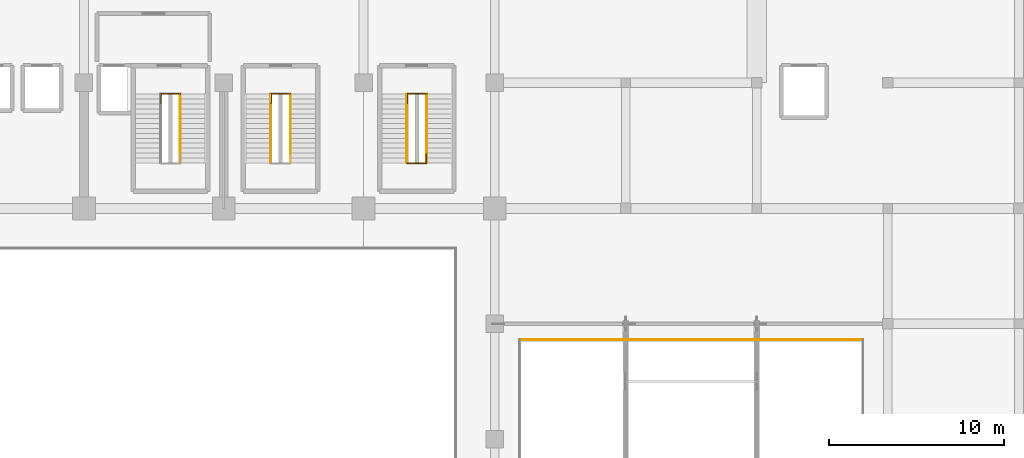
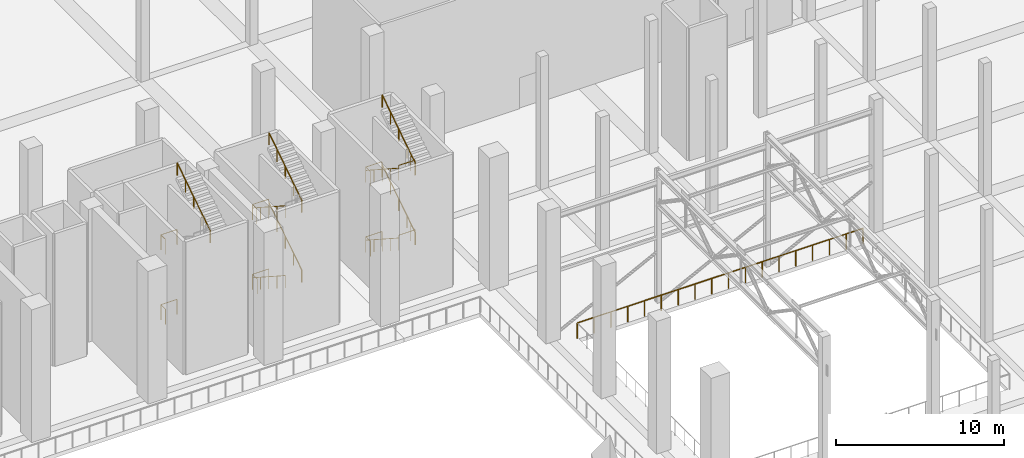
# One storey, part 79 of 80: 18 railings.
"""IFC4 building model written with IfcOpenShell, lengths in metres."""

from ifc_helpers import new_model, si_unit, direction, frame, origin, origin_2d, place, context, subcontext, project, spatial, circle, extrude, material, layer, layer_set, type_object, element, save


model = new_model("IFC4")

# Units and contexts
model_context = context("Model", 3, precision=1e-05, world=origin(), true_north=direction((0.0, 1.0)))
body_context = subcontext(model_context, "Body", "Model", "MODEL_VIEW")
ifc_project = project(units=[si_unit("LENGTHUNIT", "METRE"), si_unit("AREAUNIT", "SQUARE_METRE"), si_unit("VOLUMEUNIT", "CUBIC_METRE"), si_unit("PLANEANGLEUNIT", "RADIAN"), si_unit("MASSUNIT", "GRAM", prefix="KILO")], contexts=[model_context])

# Site, building, storey
site_placement = place(None, origin())
site = spatial("IfcSite", under=ifc_project, at=site_placement, CompositionType="ELEMENT")
building_placement = place(site_placement, origin())
building = spatial("IfcBuilding", under=site, at=building_placement, Name="Akrevak Sports Hall", CompositionType="ELEMENT")
storey_placement = place(building_placement, frame((0.0, 0.0, 14.0)))
storey = spatial("IfcBuildingStorey", under=building, at=storey_placement, Name="L03", CompositionType="ELEMENT", Elevation=14.0)

# Railings
ifc_material_1 = material(Name="Painted Architectural Balustrade Steel", Category="steel")
ifc_layer_1 = layer(ifc_material_1, 0.06005859375, Name="Painted Architectural Balustrade Steel")
ifc_layer_set_1 = layer_set([ifc_layer_1], Name="Painted Architectural Balustrade Steel")
railing_type_1 = type_object("IfcRailingType", Name="ARC-RL-GRD-1120", PredefinedType="GUARDRAIL", material=ifc_layer_set_1)
railing_1_placement = place(storey_placement, frame((96.409912109375, 61.215087890625, 0.0)))
element("IfcRailing", 1, at=railing_1_placement, inside=storey, type_object=railing_type_1, Name="Stair Floor Landing Well Guard ST2 (L03)", PredefinedType="GUARDRAIL", context=body_context, shape_type="SweptSolid", body=[
    extrude(circle(Radius=0.02392578125, at=origin_2d()), frame((0.0, 0.0, 1.09619140625), z_axis=(0.0, 1.0, 0.0), x_axis=(-1.0, 0.0, 0.0)), (0.0, 0.0, 1.0), 0.5498046875),
    extrude(circle(Radius=0.02392578125, at=origin_2d()), frame((0.0, 0.5498046875, 1.09619140625), z_axis=(1.0, 0.0, 0.0), x_axis=(0.0, 1.0, 0.0)), (0.0, 0.0, 1.0), 1.110107421875),
    extrude(circle(Radius=0.02099609375, at=origin_2d()), origin(), (0.0, 0.0, 1.0), 1.072021484375),
    extrude(circle(Radius=0.02099609375, at=origin_2d()), frame((0.0, 0.5498046875, 0.0)), (0.0, 0.0, 1.0), 1.072021484375),
    extrude(circle(Radius=0.02099609375, at=origin_2d()), frame((1.110107421875, 0.5498046875, 0.0)), (0.0, 0.0, 1.0), 1.072021484375),
])
railing_2_placement = place(storey_placement, frame((96.409912109375, 61.2451171875, 5.074951171875)))
element("IfcRailing", 2, at=railing_2_placement, inside=storey, type_object=railing_type_1, Name="Stair Landing Well Guard ST2-L03-2", PredefinedType="GUARDRAIL", context=body_context, shape_type="SweptSolid", body=[
    extrude(circle(Radius=0.02392578125, at=origin_2d()), frame((0.0, 0.0, 1.09619140625), z_axis=(0.0, 1.0, 0.0), x_axis=(-1.0, 0.0, 0.0)), (0.0, 0.0, 1.0), 0.519775390625),
    extrude(circle(Radius=0.02392578125, at=origin_2d()), frame((0.0, 0.519775390625, 1.09619140625), z_axis=(1.0, 0.0, 0.0), x_axis=(0.0, 1.0, 0.0)), (0.0, 0.0, 1.0), 1.110107421875),
    extrude(circle(Radius=0.02099609375, at=origin_2d()), origin(), (0.0, 0.0, 1.0), 1.072021484375),
    extrude(circle(Radius=0.02099609375, at=origin_2d()), frame((0.0, 0.519775390625, 0.0)), (0.0, 0.0, 1.0), 1.072021484375),
    extrude(circle(Radius=0.02099609375, at=origin_2d()), frame((1.110107421875, 0.519775390625, 0.0)), (0.0, 0.0, 1.0), 1.072021484375),
])
railing_3_placement = place(storey_placement, frame((102.7099609375, 61.215087890625, 0.0)))
element("IfcRailing", 3, at=railing_3_placement, inside=storey, type_object=railing_type_1, Name="Stair Floor Landing Well Guard ST10 (L03)", PredefinedType="GUARDRAIL", context=body_context, shape_type="SweptSolid", body=[
    extrude(circle(Radius=0.02392578125, at=origin_2d()), frame((0.0, 0.0, 1.09619140625), z_axis=(0.0, 1.0, 0.0), x_axis=(-1.0, 0.0, 0.0)), (0.0, 0.0, 1.0), 0.5498046875),
    extrude(circle(Radius=0.02392578125, at=origin_2d()), frame((0.0, 0.5498046875, 1.09619140625), z_axis=(1.0, 0.0, 0.0), x_axis=(0.0, 1.0, 0.0)), (0.0, 0.0, 1.0), 1.110107421875),
    extrude(circle(Radius=0.02099609375, at=origin_2d()), origin(), (0.0, 0.0, 1.0), 1.072021484375),
    extrude(circle(Radius=0.02099609375, at=origin_2d()), frame((0.0, 0.5498046875, 0.0)), (0.0, 0.0, 1.0), 1.072021484375),
    extrude(circle(Radius=0.02099609375, at=origin_2d()), frame((1.110107421875, 0.5498046875, 0.0)), (0.0, 0.0, 1.0), 1.072021484375),
])
railing_4_placement = place(storey_placement, frame((102.7099609375, 61.2451171875, 5.074951171875)))
element("IfcRailing", 4, at=railing_4_placement, inside=storey, type_object=railing_type_1, Name="Stair Landing Well Guard ST10-L03-2", PredefinedType="GUARDRAIL", context=body_context, shape_type="SweptSolid", body=[
    extrude(circle(Radius=0.02392578125, at=origin_2d()), frame((0.0, 0.0, 1.09619140625), z_axis=(0.0, 1.0, 0.0), x_axis=(-1.0, 0.0, 0.0)), (0.0, 0.0, 1.0), 0.519775390625),
    extrude(circle(Radius=0.02392578125, at=origin_2d()), frame((0.0, 0.519775390625, 1.09619140625), z_axis=(1.0, 0.0, 0.0), x_axis=(0.0, 1.0, 0.0)), (0.0, 0.0, 1.0), 1.110107421875),
    extrude(circle(Radius=0.02099609375, at=origin_2d()), origin(), (0.0, 0.0, 1.0), 1.072021484375),
    extrude(circle(Radius=0.02099609375, at=origin_2d()), frame((0.0, 0.519775390625, 0.0)), (0.0, 0.0, 1.0), 1.072021484375),
    extrude(circle(Radius=0.02099609375, at=origin_2d()), frame((1.110107421875, 0.519775390625, 0.0)), (0.0, 0.0, 1.0), 1.072021484375),
])
railing_5_placement = place(storey_placement, frame((110.510009765625, 61.215087890625, 0.0)))
element("IfcRailing", 5, at=railing_5_placement, inside=storey, type_object=railing_type_1, Name="Stair Floor Landing Well Guard ST11 (L03)", PredefinedType="GUARDRAIL", context=body_context, shape_type="SweptSolid", body=[
    extrude(circle(Radius=0.02392578125, at=origin_2d()), frame((0.0, 0.0, 1.09619140625), z_axis=(0.0, 1.0, 0.0), x_axis=(-1.0, 0.0, 0.0)), (0.0, 0.0, 1.0), 0.5498046875),
    extrude(circle(Radius=0.02392578125, at=origin_2d()), frame((0.0, 0.5498046875, 1.09619140625), z_axis=(1.0, 0.0, 0.0), x_axis=(0.0, 1.0, 0.0)), (0.0, 0.0, 1.0), 1.110107421875),
    extrude(circle(Radius=0.02099609375, at=origin_2d()), origin(), (0.0, 0.0, 1.0), 1.072021484375),
    extrude(circle(Radius=0.02099609375, at=origin_2d()), frame((0.0, 0.5498046875, 0.0)), (0.0, 0.0, 1.0), 1.072021484375),
    extrude(circle(Radius=0.02099609375, at=origin_2d()), frame((1.110107421875, 0.5498046875, 0.0)), (0.0, 0.0, 1.0), 1.072021484375),
])
railing_6_placement = place(storey_placement, frame((110.47998046875, 57.784912109375, 2.53759765625)))
element("IfcRailing", 6, at=railing_6_placement, inside=storey, type_object=railing_type_1, Name="Stair Landing Well Guard ST11-L03-1", PredefinedType="GUARDRAIL", context=body_context, shape_type="SweptSolid", body=[
    extrude(circle(Radius=0.02392578125, at=origin_2d()), frame((0.0, 0.0, 1.09619140625), z_axis=(1.0, 0.0, 0.0), x_axis=(0.0, 1.0, 0.0)), (0.0, 0.0, 1.0), 1.110107421875),
    extrude(circle(Radius=0.02392578125, at=origin_2d()), frame((1.110107421875, 0.0, 1.09619140625), z_axis=(0.0, 1.0, 0.0), x_axis=(-1.0, 0.0, 0.0)), (0.0, 0.0, 1.0), 0.52001953125),
    extrude(circle(Radius=0.02099609375, at=origin_2d()), origin(), (0.0, 0.0, 1.0), 1.072021484375),
    extrude(circle(Radius=0.02099609375, at=origin_2d()), frame((1.110107421875, 0.0, 0.0)), (0.0, 0.0, 1.0), 1.072021484375),
    extrude(circle(Radius=0.02099609375, at=origin_2d()), frame((1.110107421875, 0.52001953125, 0.0)), (0.0, 0.0, 1.0), 1.072021484375),
])
railing_7_placement = place(storey_placement, frame((110.510009765625, 61.2451171875, 5.074951171875)))
element("IfcRailing", 7, at=railing_7_placement, inside=storey, type_object=railing_type_1, Name="Stair Landing Well Guard ST11-L03-2", PredefinedType="GUARDRAIL", context=body_context, shape_type="SweptSolid", body=[
    extrude(circle(Radius=0.02392578125, at=origin_2d()), frame((0.0, 0.0, 1.09619140625), z_axis=(0.0, 1.0, 0.0), x_axis=(-1.0, 0.0, 0.0)), (0.0, 0.0, 1.0), 0.519775390625),
    extrude(circle(Radius=0.02392578125, at=origin_2d()), frame((0.0, 0.519775390625, 1.09619140625), z_axis=(1.0, 0.0, 0.0), x_axis=(0.0, 1.0, 0.0)), (0.0, 0.0, 1.0), 1.110107421875),
    extrude(circle(Radius=0.02099609375, at=origin_2d()), origin(), (0.0, 0.0, 1.0), 1.072021484375),
    extrude(circle(Radius=0.02099609375, at=origin_2d()), frame((0.0, 0.519775390625, 0.0)), (0.0, 0.0, 1.0), 1.072021484375),
    extrude(circle(Radius=0.02099609375, at=origin_2d()), frame((1.110107421875, 0.519775390625, 0.0)), (0.0, 0.0, 1.0), 1.072021484375),
])
railing_8_placement = place(storey_placement, frame((110.47998046875, 57.784912109375, 7.612548828125)))
element("IfcRailing", 8, at=railing_8_placement, inside=storey, type_object=railing_type_1, Name="Stair Landing Well Guard ST11-L03-3", PredefinedType="GUARDRAIL", context=body_context, shape_type="SweptSolid", body=[
    extrude(circle(Radius=0.02392578125, at=origin_2d()), frame((0.0, 0.0, 1.09619140625), z_axis=(1.0, 0.0, 0.0), x_axis=(0.0, 1.0, 0.0)), (0.0, 0.0, 1.0), 1.110107421875),
    extrude(circle(Radius=0.02392578125, at=origin_2d()), frame((1.110107421875, 0.0, 1.09619140625), z_axis=(0.0, 1.0, 0.0), x_axis=(-1.0, 0.0, 0.0)), (0.0, 0.0, 1.0), 0.52001953125),
    extrude(circle(Radius=0.02099609375, at=origin_2d()), origin(), (0.0, 0.0, 1.0), 1.072021484375),
    extrude(circle(Radius=0.02099609375, at=origin_2d()), frame((1.110107421875, 0.0, 0.0)), (0.0, 0.0, 1.0), 1.072021484375),
    extrude(circle(Radius=0.02099609375, at=origin_2d()), frame((1.110107421875, 0.52001953125, 0.0)), (0.0, 0.0, 1.0), 1.072021484375),
])
ifc_material_2 = material(Name="Anodized Bronze Aluminium & Laminated Glass", Category="aluminium")
ifc_layer_2 = layer(ifc_material_2, 0.080078125, Name="Anodized Bronze Aluminium & Laminated Glass")
ifc_layer_set_2 = layer_set([ifc_layer_2], Name="Anodized Bronze Aluminium & Laminated Glass")
railing_type_2 = type_object("IfcRailingType", Name="ARC-RL-GRD-1150", PredefinedType="GUARDRAIL", material=ifc_layer_set_2)
railing_9_placement = place(storey_placement, frame((136.580078125, 47.679931640625, 0.0)))
element("IfcRailing", 9, at=railing_9_placement, inside=storey, type_object=railing_type_2, Name="Atrium/Arena Gallery Guardrail L03-CLM-N", PredefinedType="GUARDRAIL", context=body_context, shape_type="SweptSolid", body=[
    extrude(circle(Radius=0.02392578125, at=origin_2d()), frame((0.0, 0.0, 1.1259765625), z_axis=(-1.0, 0.0, 0.0), x_axis=(0.0, -1.0, 0.0)), (0.0, 0.0, 1.0), 19.66015625),
    extrude(circle(Radius=0.02099609375, at=origin_2d()), origin(), (0.0, 0.0, 1.0), 1.101806640625),
    extrude(circle(Radius=0.02099609375, at=origin_2d()), frame((-1.156494140625, 0.0, 0.0)), (0.0, 0.0, 1.0), 1.101806640625),
    extrude(circle(Radius=0.02099609375, at=origin_2d()), frame((-2.31298828125, 0.0, 0.0)), (0.0, 0.0, 1.0), 1.101806640625),
    extrude(circle(Radius=0.02099609375, at=origin_2d()), frame((-3.469482421875, 0.0, 0.0)), (0.0, 0.0, 1.0), 1.101806640625),
    extrude(circle(Radius=0.02099609375, at=origin_2d()), frame((-4.6259765625, 0.0, 0.0)), (0.0, 0.0, 1.0), 1.101806640625),
    extrude(circle(Radius=0.02099609375, at=origin_2d()), frame((-5.782470703125, 0.0, 0.0)), (0.0, 0.0, 1.0), 1.101806640625),
    extrude(circle(Radius=0.02099609375, at=origin_2d()), frame((-6.93896484375, 0.0, 0.0)), (0.0, 0.0, 1.0), 1.101806640625),
    extrude(circle(Radius=0.02099609375, at=origin_2d()), frame((-8.095458984375, 0.0, 0.0)), (0.0, 0.0, 1.0), 1.101806640625),
    extrude(circle(Radius=0.02099609375, at=origin_2d()), frame((-9.251953125, 0.0, 0.0)), (0.0, 0.0, 1.0), 1.101806640625),
    extrude(circle(Radius=0.02099609375, at=origin_2d()), frame((-10.408203125, 0.0, 0.0)), (0.0, 0.0, 1.0), 1.101806640625),
    extrude(circle(Radius=0.02099609375, at=origin_2d()), frame((-11.564697265625, 0.0, 0.0)), (0.0, 0.0, 1.0), 1.101806640625),
    extrude(circle(Radius=0.02099609375, at=origin_2d()), frame((-12.72119140625, 0.0, 0.0)), (0.0, 0.0, 1.0), 1.101806640625),
    extrude(circle(Radius=0.02099609375, at=origin_2d()), frame((-13.877685546875, 0.0, 0.0)), (0.0, 0.0, 1.0), 1.101806640625),
    extrude(circle(Radius=0.02099609375, at=origin_2d()), frame((-15.0341796875, 0.0, 0.0)), (0.0, 0.0, 1.0), 1.101806640625),
    extrude(circle(Radius=0.02099609375, at=origin_2d()), frame((-16.190673828125, 0.0, 0.0)), (0.0, 0.0, 1.0), 1.101806640625),
    extrude(circle(Radius=0.02099609375, at=origin_2d()), frame((-17.34716796875, 0.0, 0.0)), (0.0, 0.0, 1.0), 1.101806640625),
    extrude(circle(Radius=0.02099609375, at=origin_2d()), frame((-18.503662109375, 0.0, 0.0)), (0.0, 0.0, 1.0), 1.101806640625),
    extrude(circle(Radius=0.02099609375, at=origin_2d()), frame((-19.66015625, 0.0, 0.0)), (0.0, 0.0, 1.0), 1.101806640625),
])
ifc_material_3 = material(Name="Brushed Stainless Steel 304", Category="steel")
ifc_layer_3 = layer(ifc_material_3, 0.050048828125, Name="Brushed Stainless Steel 304")
ifc_layer_set_3 = layer_set([ifc_layer_3], Name="Brushed Stainless Steel 304")
railing_type_3 = type_object("IfcRailingType", Name="ARC-RL-HND-900", PredefinedType="HANDRAIL", material=ifc_layer_set_3)
railing_10_placement = place(storey_placement, frame((97.52001953125, 57.81494140625, 7.612548828125)))
element("IfcRailing", 10, at=railing_10_placement, inside=storey, type_object=railing_type_3, Name="Stair Handrail ST2-L03-F4", PredefinedType="HANDRAIL", context=body_context, shape_type="SweptSolid", body=[
    extrude(circle(Radius=0.02392578125, at=origin_2d()), frame((0.0, 0.0, 0.8759765625), z_axis=(0.0, 0.83949440364, 0.543368333875), x_axis=(-1.0, 0.0, 0.0)), (0.0, 0.0, 1.0), 4.669677734375),
    extrude(circle(Radius=0.02099609375, at=origin_2d()), origin(), (0.0, 0.0, 1.0), 0.851806640625),
    extrude(circle(Radius=0.02099609375, at=origin_2d()), frame((0.0, 0.97998046875, 0.63427734375)), (0.0, 0.0, 1.0), 0.851806640625),
    extrude(circle(Radius=0.02099609375, at=origin_2d()), frame((0.0, 1.9599609375, 1.2685546875)), (0.0, 0.0, 1.0), 0.851806640625),
    extrude(circle(Radius=0.02099609375, at=origin_2d()), frame((0.0, 2.940185546875, 1.903076171875)), (0.0, 0.0, 1.0), 0.851806640625),
    extrude(circle(Radius=0.02099609375, at=origin_2d()), frame((0.0, 3.920166015625, 2.537353515625)), (0.0, 0.0, 1.0), 0.851806640625),
])
railing_11_placement = place(storey_placement, frame((102.679931640625, 61.735107421875, 0.0)))
element("IfcRailing", 11, at=railing_11_placement, inside=storey, type_object=railing_type_3, Name="Stair Handrail ST10-L03-F1", PredefinedType="HANDRAIL", context=body_context, shape_type="SweptSolid", body=[
    extrude(circle(Radius=0.02392578125, at=origin_2d()), frame((0.0, 0.0, 0.8759765625), z_axis=(0.0, -0.839470554764, 0.543405178191), x_axis=(1.0, 0.0, 0.0)), (0.0, 0.0, 1.0), 4.669921875),
    extrude(circle(Radius=0.02099609375, at=origin_2d()), origin(), (0.0, 0.0, 1.0), 0.851806640625),
    extrude(circle(Radius=0.02099609375, at=origin_2d()), frame((0.0, -0.97998046875, 0.63427734375)), (0.0, 0.0, 1.0), 0.851806640625),
    extrude(circle(Radius=0.02099609375, at=origin_2d()), frame((0.0, -1.9599609375, 1.268798828125)), (0.0, 0.0, 1.0), 0.851806640625),
    extrude(circle(Radius=0.02099609375, at=origin_2d()), frame((0.0, -2.940185546875, 1.9033203125)), (0.0, 0.0, 1.0), 0.851806640625),
    extrude(circle(Radius=0.02099609375, at=origin_2d()), frame((0.0, -3.920166015625, 2.53759765625)), (0.0, 0.0, 1.0), 0.851806640625),
])
railing_12_placement = place(storey_placement, frame((103.820068359375, 57.81494140625, 2.53759765625)))
element("IfcRailing", 12, at=railing_12_placement, inside=storey, type_object=railing_type_3, Name="Stair Handrail ST10-L03-F2", PredefinedType="HANDRAIL", context=body_context, shape_type="SweptSolid", body=[
    extrude(circle(Radius=0.02392578125, at=origin_2d()), frame((0.0, 0.0, 0.8759765625), z_axis=(0.0, 0.83949440364, 0.543368333875), x_axis=(-1.0, 0.0, 0.0)), (0.0, 0.0, 1.0), 4.669677734375),
    extrude(circle(Radius=0.02099609375, at=origin_2d()), origin(), (0.0, 0.0, 1.0), 0.851806640625),
    extrude(circle(Radius=0.02099609375, at=origin_2d()), frame((0.0, 0.97998046875, 0.63427734375)), (0.0, 0.0, 1.0), 0.851806640625),
    extrude(circle(Radius=0.02099609375, at=origin_2d()), frame((0.0, 1.9599609375, 1.2685546875)), (0.0, 0.0, 1.0), 0.851806640625),
    extrude(circle(Radius=0.02099609375, at=origin_2d()), frame((0.0, 2.940185546875, 1.903076171875)), (0.0, 0.0, 1.0), 0.851806640625),
    extrude(circle(Radius=0.02099609375, at=origin_2d()), frame((0.0, 3.920166015625, 2.537353515625)), (0.0, 0.0, 1.0), 0.851806640625),
])
railing_13_placement = place(storey_placement, frame((102.679931640625, 61.735107421875, 5.074951171875)))
element("IfcRailing", 13, at=railing_13_placement, inside=storey, type_object=railing_type_3, Name="Stair Handrail ST10-L03-F3", PredefinedType="HANDRAIL", context=body_context, shape_type="SweptSolid", body=[
    extrude(circle(Radius=0.02392578125, at=origin_2d()), frame((0.0, 0.0, 0.8759765625), z_axis=(0.0, -0.839470554764, 0.543405178191), x_axis=(1.0, 0.0, 0.0)), (0.0, 0.0, 1.0), 4.669921875),
    extrude(circle(Radius=0.02099609375, at=origin_2d()), origin(), (0.0, 0.0, 1.0), 0.851806640625),
    extrude(circle(Radius=0.02099609375, at=origin_2d()), frame((0.0, -0.97998046875, 0.63427734375)), (0.0, 0.0, 1.0), 0.851806640625),
    extrude(circle(Radius=0.02099609375, at=origin_2d()), frame((0.0, -1.9599609375, 1.268798828125)), (0.0, 0.0, 1.0), 0.851806640625),
    extrude(circle(Radius=0.02099609375, at=origin_2d()), frame((0.0, -2.940185546875, 1.9033203125)), (0.0, 0.0, 1.0), 0.851806640625),
    extrude(circle(Radius=0.02099609375, at=origin_2d()), frame((0.0, -3.920166015625, 2.53759765625)), (0.0, 0.0, 1.0), 0.851806640625),
])
railing_14_placement = place(storey_placement, frame((103.820068359375, 57.81494140625, 7.612548828125)))
element("IfcRailing", 14, at=railing_14_placement, inside=storey, type_object=railing_type_3, Name="Stair Handrail ST10-L03-F4", PredefinedType="HANDRAIL", context=body_context, shape_type="SweptSolid", body=[
    extrude(circle(Radius=0.02392578125, at=origin_2d()), frame((0.0, 0.0, 0.8759765625), z_axis=(0.0, 0.83949440364, 0.543368333875), x_axis=(-1.0, 0.0, 0.0)), (0.0, 0.0, 1.0), 4.669677734375),
    extrude(circle(Radius=0.02099609375, at=origin_2d()), origin(), (0.0, 0.0, 1.0), 0.851806640625),
    extrude(circle(Radius=0.02099609375, at=origin_2d()), frame((0.0, 0.97998046875, 0.63427734375)), (0.0, 0.0, 1.0), 0.851806640625),
    extrude(circle(Radius=0.02099609375, at=origin_2d()), frame((0.0, 1.9599609375, 1.2685546875)), (0.0, 0.0, 1.0), 0.851806640625),
    extrude(circle(Radius=0.02099609375, at=origin_2d()), frame((0.0, 2.940185546875, 1.903076171875)), (0.0, 0.0, 1.0), 0.851806640625),
    extrude(circle(Radius=0.02099609375, at=origin_2d()), frame((0.0, 3.920166015625, 2.537353515625)), (0.0, 0.0, 1.0), 0.851806640625),
])
railing_15_placement = place(storey_placement, frame((110.47998046875, 61.735107421875, 0.0)))
element("IfcRailing", 15, at=railing_15_placement, inside=storey, type_object=railing_type_3, Name="Stair Handrail ST11-L03-F1", PredefinedType="HANDRAIL", context=body_context, shape_type="SweptSolid", body=[
    extrude(circle(Radius=0.02392578125, at=origin_2d()), frame((0.0, 0.0, 0.8759765625), z_axis=(0.0, -0.839470554764, 0.543405178191), x_axis=(1.0, 0.0, 0.0)), (0.0, 0.0, 1.0), 4.669921875),
    extrude(circle(Radius=0.02099609375, at=origin_2d()), origin(), (0.0, 0.0, 1.0), 0.851806640625),
    extrude(circle(Radius=0.02099609375, at=origin_2d()), frame((0.0, -0.97998046875, 0.63427734375)), (0.0, 0.0, 1.0), 0.851806640625),
    extrude(circle(Radius=0.02099609375, at=origin_2d()), frame((0.0, -1.9599609375, 1.268798828125)), (0.0, 0.0, 1.0), 0.851806640625),
    extrude(circle(Radius=0.02099609375, at=origin_2d()), frame((0.0, -2.940185546875, 1.9033203125)), (0.0, 0.0, 1.0), 0.851806640625),
    extrude(circle(Radius=0.02099609375, at=origin_2d()), frame((0.0, -3.920166015625, 2.53759765625)), (0.0, 0.0, 1.0), 0.851806640625),
])
railing_16_placement = place(storey_placement, frame((111.6201171875, 57.81494140625, 2.53759765625)))
element("IfcRailing", 16, at=railing_16_placement, inside=storey, type_object=railing_type_3, Name="Stair Handrail ST11-L03-F2", PredefinedType="HANDRAIL", context=body_context, shape_type="SweptSolid", body=[
    extrude(circle(Radius=0.02392578125, at=origin_2d()), frame((0.0, 0.0, 0.8759765625), z_axis=(0.0, 0.83949440364, 0.543368333875), x_axis=(-1.0, 0.0, 0.0)), (0.0, 0.0, 1.0), 4.669677734375),
    extrude(circle(Radius=0.02099609375, at=origin_2d()), origin(), (0.0, 0.0, 1.0), 0.851806640625),
    extrude(circle(Radius=0.02099609375, at=origin_2d()), frame((0.0, 0.97998046875, 0.63427734375)), (0.0, 0.0, 1.0), 0.851806640625),
    extrude(circle(Radius=0.02099609375, at=origin_2d()), frame((0.0, 1.9599609375, 1.2685546875)), (0.0, 0.0, 1.0), 0.851806640625),
    extrude(circle(Radius=0.02099609375, at=origin_2d()), frame((0.0, 2.940185546875, 1.903076171875)), (0.0, 0.0, 1.0), 0.851806640625),
    extrude(circle(Radius=0.02099609375, at=origin_2d()), frame((0.0, 3.920166015625, 2.537353515625)), (0.0, 0.0, 1.0), 0.851806640625),
])
railing_17_placement = place(storey_placement, frame((110.47998046875, 61.735107421875, 5.074951171875)))
element("IfcRailing", 17, at=railing_17_placement, inside=storey, type_object=railing_type_3, Name="Stair Handrail ST11-L03-F3", PredefinedType="HANDRAIL", context=body_context, shape_type="SweptSolid", body=[
    extrude(circle(Radius=0.02392578125, at=origin_2d()), frame((0.0, 0.0, 0.8759765625), z_axis=(0.0, -0.839470554764, 0.543405178191), x_axis=(1.0, 0.0, 0.0)), (0.0, 0.0, 1.0), 4.669921875),
    extrude(circle(Radius=0.02099609375, at=origin_2d()), origin(), (0.0, 0.0, 1.0), 0.851806640625),
    extrude(circle(Radius=0.02099609375, at=origin_2d()), frame((0.0, -0.97998046875, 0.63427734375)), (0.0, 0.0, 1.0), 0.851806640625),
    extrude(circle(Radius=0.02099609375, at=origin_2d()), frame((0.0, -1.9599609375, 1.268798828125)), (0.0, 0.0, 1.0), 0.851806640625),
    extrude(circle(Radius=0.02099609375, at=origin_2d()), frame((0.0, -2.940185546875, 1.9033203125)), (0.0, 0.0, 1.0), 0.851806640625),
    extrude(circle(Radius=0.02099609375, at=origin_2d()), frame((0.0, -3.920166015625, 2.53759765625)), (0.0, 0.0, 1.0), 0.851806640625),
])
railing_18_placement = place(storey_placement, frame((111.6201171875, 57.81494140625, 7.612548828125)))
element("IfcRailing", 18, at=railing_18_placement, inside=storey, type_object=railing_type_3, Name="Stair Handrail ST11-L03-F4", PredefinedType="HANDRAIL", context=body_context, shape_type="SweptSolid", body=[
    extrude(circle(Radius=0.02392578125, at=origin_2d()), frame((0.0, 0.0, 0.8759765625), z_axis=(0.0, 0.83949440364, 0.543368333875), x_axis=(-1.0, 0.0, 0.0)), (0.0, 0.0, 1.0), 4.669677734375),
    extrude(circle(Radius=0.02099609375, at=origin_2d()), origin(), (0.0, 0.0, 1.0), 0.851806640625),
    extrude(circle(Radius=0.02099609375, at=origin_2d()), frame((0.0, 0.97998046875, 0.63427734375)), (0.0, 0.0, 1.0), 0.851806640625),
    extrude(circle(Radius=0.02099609375, at=origin_2d()), frame((0.0, 1.9599609375, 1.2685546875)), (0.0, 0.0, 1.0), 0.851806640625),
    extrude(circle(Radius=0.02099609375, at=origin_2d()), frame((0.0, 2.940185546875, 1.903076171875)), (0.0, 0.0, 1.0), 0.851806640625),
    extrude(circle(Radius=0.02099609375, at=origin_2d()), frame((0.0, 3.920166015625, 2.537353515625)), (0.0, 0.0, 1.0), 0.851806640625),
])

save(model, "model.ifc")
